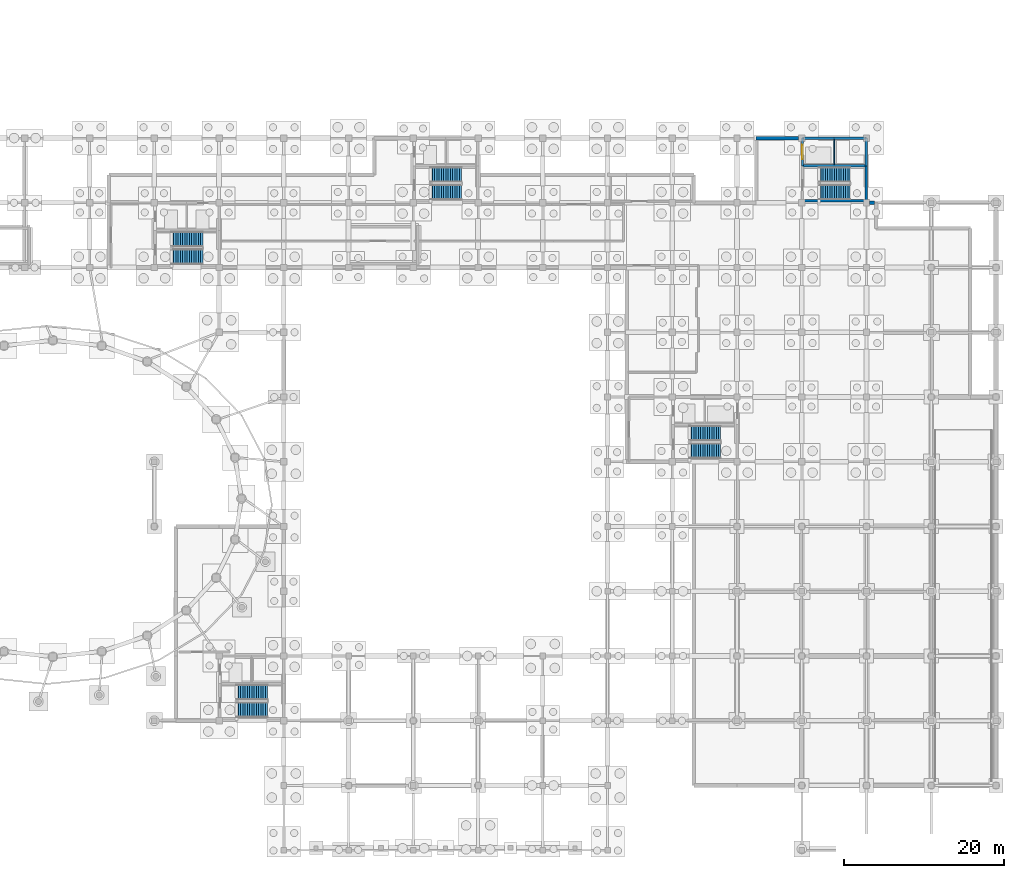
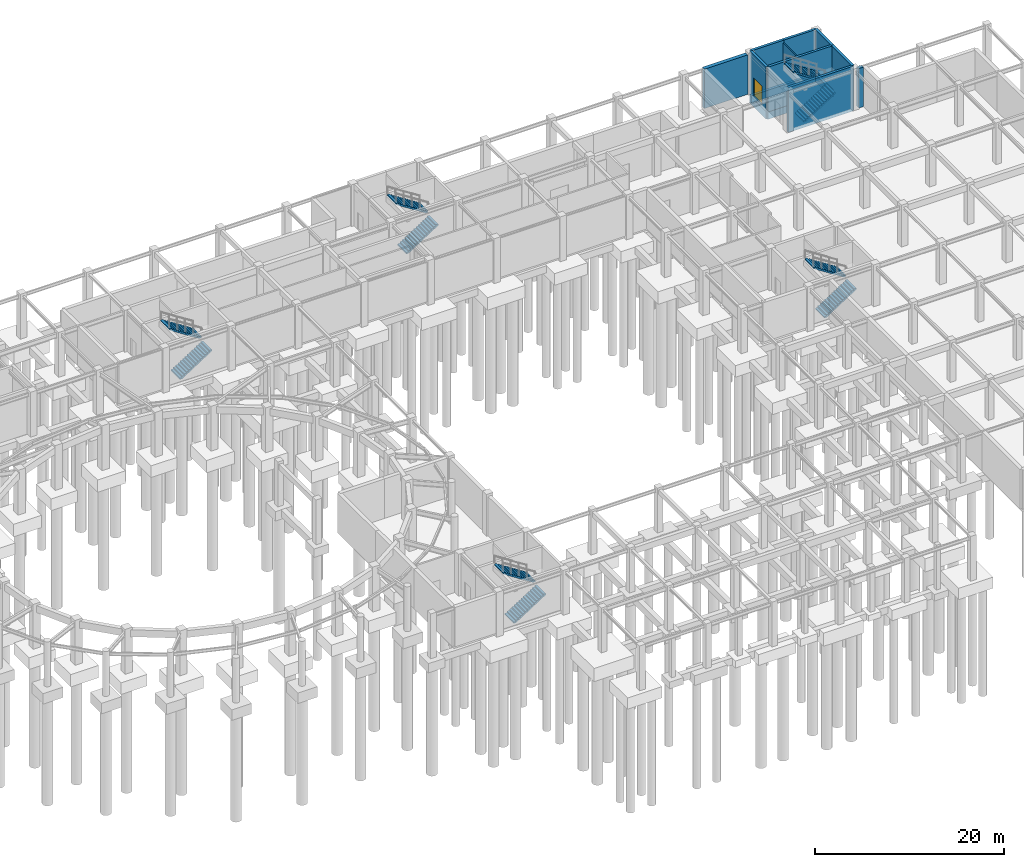
# One storey, part 20 of 26: 14 walls, 10 stair flights, 1 door, 1 opening, 5 elements without a shape of their own.
"""IFC4 building model written with IfcOpenShell, lengths in metres."""

from ifc_helpers import new_model, si_unit, direction, frame, frame_2d, origin, place, context, subcontext, project, spatial, polyline, rectangle, outline, extrude, material, layer, layer_set, type_object, element, fill, aggregate, save


model = new_model("IFC4")

# Units and contexts
model_context = context("Model", 3, precision=1e-05, world=origin(), true_north=direction((0.0, 1.0)))
body_context = subcontext(model_context, "Body", "Model", "MODEL_VIEW")
ifc_project = project(units=[si_unit("LENGTHUNIT", "METRE"), si_unit("AREAUNIT", "SQUARE_METRE"), si_unit("VOLUMEUNIT", "CUBIC_METRE"), si_unit("PLANEANGLEUNIT", "RADIAN"), si_unit("MASSUNIT", "GRAM", prefix="KILO")], contexts=[model_context])

# Site, building, storey
site_placement = place(None, origin())
site = spatial("IfcSite", under=ifc_project, at=site_placement, CompositionType="ELEMENT")
building_placement = place(site_placement, origin())
building = spatial("IfcBuilding", under=site, at=building_placement, Name="Parian Resonance Hall", CompositionType="ELEMENT")
storey_placement = place(building_placement, frame((0.0, 0.0, -5.39990234375)))
storey = spatial("IfcBuildingStorey", under=building, at=storey_placement, Name="B1", CompositionType="ELEMENT", Elevation=-5.39990234375)

# Walls
ifc_material_1 = material(Name="Concrete C40/50", Category="concrete")
ifc_layer_1 = layer(ifc_material_1, 0.31005859375)
ifc_layer_set_1 = layer_set([ifc_layer_1], Name="Concrete C40/50")
wall_type_1 = type_object("IfcWallType", Name="CW310", PredefinedType="SHEAR", material=ifc_layer_set_1)
wall_1_placement = place(storey_placement, frame((137.7900390625, 85.610107421875, -1.35009765625), z_axis=(0.0, 0.0, 1.0), x_axis=(1.0, 0.0, 0.0)))
element("IfcWall", 1, at=wall_1_placement, inside=storey, type_object=wall_type_1, Name="Lift pit wall K6-1", PredefinedType="SHEAR", context=body_context, shape_type="SweptSolid", body=[
    extrude(rectangle(XDim=7.97998046875, YDim=0.31005859375, at=frame_2d((3.989990234375, 0.0))), origin(), (0.0, 0.0, 1.0), 0.949951171875),
])
wall_2_placement = place(storey_placement, frame((145.77001953125, 85.610107421875, -1.35009765625), z_axis=(0.0, 0.0, 1.0), x_axis=(0.0, 1.0, 0.0)))
element("IfcWall", 2, at=wall_2_placement, inside=storey, type_object=wall_type_1, Name="Lift pit wall K6-2", PredefinedType="SHEAR", context=body_context, shape_type="SweptSolid", body=[
    extrude(rectangle(XDim=3.489990234375, YDim=0.31005859375, at=frame_2d((1.7451171875, 0.0))), origin(), (0.0, 0.0, 1.0), 0.949951171875),
])
wall_3_placement = place(storey_placement, frame((145.77001953125, 89.10009765625, -1.35009765625), z_axis=(0.0, 0.0, 1.0), x_axis=(-1.0, 0.0, 0.0)))
element("IfcWall", 3, at=wall_3_placement, inside=storey, type_object=wall_type_1, Name="Lift pit wall K6-3", PredefinedType="SHEAR", context=body_context, shape_type="SweptSolid", body=[
    extrude(rectangle(XDim=7.97998046875, YDim=0.31005859375, at=frame_2d((3.989990234375, 0.0))), origin(), (0.0, 0.0, 1.0), 0.949951171875),
])
wall_4_placement = place(storey_placement, frame((137.7900390625, 89.10009765625, -1.35009765625), z_axis=(0.0, 0.0, 1.0), x_axis=(0.0, -1.0, 0.0)))
element("IfcWall", 4, at=wall_4_placement, inside=storey, type_object=wall_type_1, Name="Lift pit wall K6-4", PredefinedType="SHEAR", context=body_context, shape_type="SweptSolid", body=[
    extrude(rectangle(XDim=3.489990234375, YDim=0.31005859375, at=frame_2d((1.7451171875, 0.0))), origin(), (0.0, 0.0, 1.0), 0.949951171875),
])

# Wall, opening, door
wall_5_placement = place(storey_placement, frame((137.7900390625, 85.610107421875, -0.400146484375), z_axis=(0.0, 0.0, 1.0), x_axis=(0.0, 1.0, 0.0)))
wall_5 = element("IfcWall", 5, at=wall_5_placement, inside=storey, type_object=wall_type_1, Name="Core K6 lift shaft west shear wall B1", PredefinedType="SHEAR", context=body_context, shape_type="SweptSolid", body=[
    extrude(rectangle(XDim=3.489990234375, YDim=0.31005859375, at=frame_2d((1.7451171875, 0.0))), origin(), (0.0, 0.0, 1.0), 5.800048828125),
])
opening_placement = place(wall_5_placement, frame((0.844970703125, 0.0, 0.39990234375)))
opening = element("IfcOpeningElement", 6, at=opening_placement, cuts=wall_5, Name="Opening LD-02", PredefinedType="OPENING", context=body_context, shape_type="SweptSolid", body=[
    extrude(rectangle(XDim=1.800048828125, YDim=2.39990234375, at=frame_2d((0.89990234375, 1.199951171875))), frame((0.0, 0.1650390625, 0.0), z_axis=(0.0, -1.0, 0.0), x_axis=(1.0, 0.0, 0.0)), (0.0, 0.0, 1.0), 0.330078125),
])
ifc_material_2 = material(Name="Stainless steel and bronze elevator cab", Category="steel")
door_type = type_object("IfcDoorType", Name="DOOR-LIFT-1800x2400", OperationType="SLIDING_TO_LEFT", PredefinedType="DOOR", material=ifc_material_2)
door_placement = place(opening_placement, origin())
door = element("IfcDoor", 7, at=door_placement, inside=storey, type_object=door_type, Name="Lift LF-08 sliding landing door B1", OperationType="SLIDING_TO_LEFT", OverallHeight=2.39990234375, OverallWidth=1.800048828125, PredefinedType="DOOR", context=body_context, shape_type="SweptSolid", body=[
    extrude(rectangle(XDim=1.800048828125, YDim=2.39990234375, at=frame_2d((0.89990234375, 1.199951171875))), frame((0.0, 0.02490234375, 0.0), z_axis=(0.0, -1.0, 0.0), x_axis=(1.0, 0.0, 0.0)), (0.0, 0.0, 1.0), 0.050048828125),
])
fill(opening, door)

# Walls
wall_6_placement = place(storey_placement, frame((137.7900390625, 89.10009765625, -0.400146484375), z_axis=(0.0, 0.0, 1.0), x_axis=(1.0, 0.0, 0.0)))
element("IfcWall", 8, at=wall_6_placement, inside=storey, type_object=wall_type_1, Name="Core K6 north-west shaft wall B1", PredefinedType="SHEAR", context=body_context, shape_type="SweptSolid", body=[
    extrude(rectangle(XDim=3.9599609375, YDim=0.31005859375, at=frame_2d((1.97998046875, 0.0))), origin(), (0.0, 0.0, 1.0), 5.800048828125),
])
wall_7_placement = place(storey_placement, frame((141.75, 89.10009765625, -0.400146484375), z_axis=(0.0, 0.0, 1.0), x_axis=(1.0, 0.0, 0.0)))
element("IfcWall", 9, at=wall_7_placement, inside=storey, type_object=wall_type_1, Name="Core K6 north-east shaft wall B1", PredefinedType="SHEAR", context=body_context, shape_type="SweptSolid", body=[
    extrude(rectangle(XDim=4.02001953125, YDim=0.31005859375, at=frame_2d((2.010009765625, 0.0))), origin(), (0.0, 0.0, 1.0), 5.800048828125),
])
wall_8_placement = place(storey_placement, frame((145.77001953125, 89.10009765625, -0.400146484375), z_axis=(0.0, 0.0, 1.0), x_axis=(0.0, -1.0, 0.0)))
element("IfcWall", 10, at=wall_8_placement, inside=storey, type_object=wall_type_1, Name="Core K6 east shaft wall B1", PredefinedType="SHEAR", context=body_context, shape_type="SweptSolid", body=[
    extrude(rectangle(XDim=3.489990234375, YDim=0.31005859375, at=frame_2d((1.7451171875, 0.0))), origin(), (0.0, 0.0, 1.0), 5.800048828125),
])
wall_9_placement = place(storey_placement, frame((145.77001953125, 85.610107421875, -0.400146484375), z_axis=(0.0, 0.0, 1.0), x_axis=(0.0, -1.0, 0.0)))
element("IfcWall", 11, at=wall_9_placement, inside=storey, type_object=wall_type_1, Name="Core K6 stairwell east wall B1", PredefinedType="SHEAR", context=body_context, shape_type="SweptSolid", body=[
    extrude(rectangle(XDim=4.360107421875, YDim=0.31005859375, at=frame_2d((2.18017578125, 0.0))), origin(), (0.0, 0.0, 1.0), 5.800048828125),
])
for number, where, z_axis, x_axis, name in (
    (12, (145.77001953125, 81.25, -0.400146484375), (0.0, 0.0, 1.0), (-1.0, 0.0, 0.0), "Core K6 stairwell south wall B1"),
    (13, (137.7900390625, 85.610107421875, -0.400146484375), (0.0, 0.0, 1.0), (1.0, 0.0, 0.0), "Core K6 stair-lift divider wall B1"),
):
    element("IfcWall", number, at=place(storey_placement, frame(where, z_axis=z_axis, x_axis=x_axis)), inside=storey, type_object=wall_type_1, Name=name, PredefinedType="SHEAR", context=body_context, shape_type="SweptSolid", body=[
        extrude(rectangle(XDim=7.97998046875, YDim=0.31005859375, at=frame_2d((3.989990234375, 0.0))), origin(), (0.0, 0.0, 1.0), 5.800048828125),
    ])
ifc_material_3 = material(Name="Concrete C35/45 waterproofed retaining wall", Category="concrete")
ifc_layer_2 = layer(ifc_material_3, 0.449951171875)
ifc_layer_set_2 = layer_set([ifc_layer_2], Name="Concrete C35/45 waterproofed retaining wall")
wall_type_2 = type_object("IfcWallType", Name="EW-RET-450", PredefinedType="USERDEFINED", material=ifc_layer_set_2)
wall_10_placement = place(storey_placement, frame((146.77490234375, 81.0, 0.0), z_axis=(0.0, 0.0, 1.0), x_axis=(-1.0, 0.0, 0.0)))
element("IfcWall", 14, at=wall_10_placement, inside=storey, type_object=wall_type_2, Name="Perimeter closure wall B1", ObjectType="RETAINING WALL", PredefinedType="USERDEFINED", context=body_context, shape_type="SweptSolid", body=[
    extrude(rectangle(XDim=0.574951171875, YDim=0.449951171875, at=frame_2d((0.28759765625, 0.0))), origin(), (0.0, 0.0, 1.0), 5.099853515625),
])
wall_11_placement = place(storey_placement, frame((137.300048828125, 89.10009765625, 0.0), z_axis=(0.0, 0.0, 1.0), x_axis=(-1.0, 0.0, 0.0)))
element("IfcWall", 15, at=wall_11_placement, inside=storey, type_object=wall_type_2, Name="Perimeter closure wall B1", ObjectType="RETAINING WALL", PredefinedType="USERDEFINED", context=body_context, shape_type="SweptSolid", body=[
    extrude(rectangle(XDim=5.300048828125, YDim=0.449951171875, at=frame_2d((2.64990234375, 0.0))), origin(), (0.0, 0.0, 1.0), 5.099853515625),
])
ifc_material_4 = material(Name="Concrete C35/45 acoustic plumbing chase wall", Category="concrete")
ifc_layer_3 = layer(ifc_material_4, 0.14990234375)
ifc_layer_set_3 = layer_set([ifc_layer_3], Name="Concrete C35/45 acoustic plumbing chase wall")
wall_type_3 = type_object("IfcWallType", Name="PW150", PredefinedType="PLUMBINGWALL", material=ifc_layer_set_3)
wall_12_placement = place(storey_placement, frame((141.75, 85.77001953125, 0.0), z_axis=(0.0, 0.0, 1.0), x_axis=(0.0, 1.0, 0.0)))
element("IfcWall", 16, at=wall_12_placement, inside=storey, type_object=wall_type_3, Name="Core K6 shaft plumbing/riser divider B1", PredefinedType="PLUMBINGWALL", context=body_context, shape_type="SweptSolid", body=[
    extrude(rectangle(XDim=3.169921875, YDim=0.14990234375, at=frame_2d((1.5849609375, 0.0))), origin(), (0.0, 0.0, 1.0), 5.0498046875),
])

# Stair, stair flights
ifc_material_5 = material(Name="Concrete C40/50", Category="concrete")
stair_type_1 = type_object("IfcStairType", Name="STAIR-CORE-1800", PredefinedType="HALF_TURN_STAIR", material=ifc_material_5)
stair_1_placement = place(storey_placement, origin())
stair_1 = element("IfcStair", 17, at=stair_1_placement, inside=storey, type_object=stair_type_1, Name="B1 ST-05", PredefinedType="HALF_TURN_STAIR")
ifc_material_6 = material(Name="Concrete C40/50", Category="concrete")
stair_flight_type_1 = type_object("IfcStairFlightType", Name="FLIGHT-1800", PredefinedType="STRAIGHT", material=ifc_material_6)
stair_flight_1_placement = place(storey_placement, frame((91.219970703125, 82.340087890625, 0.0), z_axis=(0.0, 0.0, 1.0), x_axis=(1.0, 0.0, 0.0)))
stair_flight_1 = element("IfcStairFlight", 18, at=stair_flight_1_placement, type_object=stair_flight_type_1, Name="ST-05 flight 1", NumberOfRisers=15, NumberOfTreads=14, PredefinedType="STRAIGHT", RiserHeight=0.18, TreadLength=0.28, context=body_context, shape_type="SweptSolid", body=[
    extrude(outline(polyline([(0.0, 0.0), (0.0, 0.179931640625), (0.280029296875, 0.179931640625), (0.280029296875, 0.360107421875), (0.56005859375, 0.360107421875), (0.56005859375, 0.5400390625), (0.840087890625, 0.5400390625), (0.840087890625, 0.719970703125), (1.1201171875, 0.719970703125), (1.1201171875, 0.89990234375), (1.39990234375, 0.89990234375), (1.39990234375, 1.080078125), (1.679931640625, 1.080078125), (1.679931640625, 1.260009765625), (1.9599609375, 1.260009765625), (1.9599609375, 1.43994140625), (2.239990234375, 1.43994140625), (2.239990234375, 1.6201171875), (2.52001953125, 1.6201171875), (2.52001953125, 1.800048828125), (2.800048828125, 1.800048828125), (2.800048828125, 1.97998046875), (3.080078125, 1.97998046875), (3.080078125, 2.159912109375), (3.360107421875, 2.159912109375), (3.360107421875, 2.340087890625), (3.639892578125, 2.340087890625), (3.639892578125, 2.52001953125), (3.919921875, 2.52001953125), (3.919921875, 2.699951171875), (3.919921875, 2.341796875), (0.277099609375, 0.0), (0.0, 0.0)])), frame((0.0, 0.93994140625, 0.0), z_axis=(0.0, -1.0, 0.0), x_axis=(1.0, 0.0, 0.0)), (0.0, 0.0, 1.0), 1.8798828125),
])
stair_flight_2_placement = place(storey_placement, frame((95.139892578125, 84.52001953125, 2.699951171875), z_axis=(0.0, 0.0, 1.0), x_axis=(-1.0, 0.0, 0.0)))
stair_flight_2 = element("IfcStairFlight", 19, at=stair_flight_2_placement, type_object=stair_flight_type_1, Name="ST-05 flight 2", NumberOfRisers=15, NumberOfTreads=14, PredefinedType="STRAIGHT", RiserHeight=0.18, TreadLength=0.28, context=body_context, shape_type="SweptSolid", body=[
    extrude(outline(polyline([(0.0, 0.0), (0.0, 0.179931640625), (0.280029296875, 0.179931640625), (0.280029296875, 0.360107421875), (0.56005859375, 0.360107421875), (0.56005859375, 0.5400390625), (0.840087890625, 0.5400390625), (0.840087890625, 0.719970703125), (1.1201171875, 0.719970703125), (1.1201171875, 0.89990234375), (1.39990234375, 0.89990234375), (1.39990234375, 1.080078125), (1.679931640625, 1.080078125), (1.679931640625, 1.260009765625), (1.9599609375, 1.260009765625), (1.9599609375, 1.43994140625), (2.239990234375, 1.43994140625), (2.239990234375, 1.6201171875), (2.52001953125, 1.6201171875), (2.52001953125, 1.800048828125), (2.800048828125, 1.800048828125), (2.800048828125, 1.97998046875), (3.080078125, 1.97998046875), (3.080078125, 2.159912109375), (3.360107421875, 2.159912109375), (3.360107421875, 2.340087890625), (3.639892578125, 2.340087890625), (3.639892578125, 2.52001953125), (3.919921875, 2.52001953125), (3.919921875, 2.699951171875), (3.919921875, 2.341796875), (0.277099609375, 0.0), (0.0, 0.0)])), frame((0.0, 0.93994140625, 0.0), z_axis=(0.0, -1.0, 0.0), x_axis=(1.0, 0.0, 0.0)), (0.0, 0.0, 1.0), 1.8798828125),
])
aggregate(stair_1, [stair_flight_1, stair_flight_2])

stair_2_placement = place(storey_placement, origin())
stair_2 = element("IfcStair", 20, at=stair_2_placement, inside=storey, type_object=stair_type_1, Name="B1 ST-06", PredefinedType="HALF_TURN_STAIR")
stair_flight_3_placement = place(storey_placement, frame((139.820068359375, 82.340087890625, 0.0), z_axis=(0.0, 0.0, 1.0), x_axis=(1.0, 0.0, 0.0)))
stair_flight_3 = element("IfcStairFlight", 21, at=stair_flight_3_placement, type_object=stair_flight_type_1, Name="ST-06 flight 1", NumberOfRisers=15, NumberOfTreads=14, PredefinedType="STRAIGHT", RiserHeight=0.18, TreadLength=0.28, context=body_context, shape_type="SweptSolid", body=[
    extrude(outline(polyline([(0.0, 0.0), (0.0, 0.179931640625), (0.280029296875, 0.179931640625), (0.280029296875, 0.360107421875), (0.56005859375, 0.360107421875), (0.56005859375, 0.5400390625), (0.840087890625, 0.5400390625), (0.840087890625, 0.719970703125), (1.1201171875, 0.719970703125), (1.1201171875, 0.89990234375), (1.39990234375, 0.89990234375), (1.39990234375, 1.080078125), (1.679931640625, 1.080078125), (1.679931640625, 1.260009765625), (1.9599609375, 1.260009765625), (1.9599609375, 1.43994140625), (2.239990234375, 1.43994140625), (2.239990234375, 1.6201171875), (2.52001953125, 1.6201171875), (2.52001953125, 1.800048828125), (2.800048828125, 1.800048828125), (2.800048828125, 1.97998046875), (3.080078125, 1.97998046875), (3.080078125, 2.159912109375), (3.360107421875, 2.159912109375), (3.360107421875, 2.340087890625), (3.639892578125, 2.340087890625), (3.639892578125, 2.52001953125), (3.919921875, 2.52001953125), (3.919921875, 2.699951171875), (3.919921875, 2.341796875), (0.277099609375, 0.0), (0.0, 0.0)])), frame((0.0, 0.93994140625, 0.0), z_axis=(0.0, -1.0, 0.0), x_axis=(1.0, 0.0, 0.0)), (0.0, 0.0, 1.0), 1.8798828125),
])
stair_flight_4_placement = place(storey_placement, frame((143.739990234375, 84.52001953125, 2.699951171875), z_axis=(0.0, 0.0, 1.0), x_axis=(-1.0, 0.0, 0.0)))
stair_flight_4 = element("IfcStairFlight", 22, at=stair_flight_4_placement, type_object=stair_flight_type_1, Name="ST-06 flight 2", NumberOfRisers=15, NumberOfTreads=14, PredefinedType="STRAIGHT", RiserHeight=0.18, TreadLength=0.28, context=body_context, shape_type="SweptSolid", body=[
    extrude(outline(polyline([(0.0, 0.0), (0.0, 0.179931640625), (0.280029296875, 0.179931640625), (0.280029296875, 0.360107421875), (0.56005859375, 0.360107421875), (0.56005859375, 0.5400390625), (0.840087890625, 0.5400390625), (0.840087890625, 0.719970703125), (1.1201171875, 0.719970703125), (1.1201171875, 0.89990234375), (1.39990234375, 0.89990234375), (1.39990234375, 1.080078125), (1.679931640625, 1.080078125), (1.679931640625, 1.260009765625), (1.9599609375, 1.260009765625), (1.9599609375, 1.43994140625), (2.239990234375, 1.43994140625), (2.239990234375, 1.6201171875), (2.52001953125, 1.6201171875), (2.52001953125, 1.800048828125), (2.800048828125, 1.800048828125), (2.800048828125, 1.97998046875), (3.080078125, 1.97998046875), (3.080078125, 2.159912109375), (3.360107421875, 2.159912109375), (3.360107421875, 2.340087890625), (3.639892578125, 2.340087890625), (3.639892578125, 2.52001953125), (3.919921875, 2.52001953125), (3.919921875, 2.699951171875), (3.919921875, 2.341796875), (0.277099609375, 0.0), (0.0, 0.0)])), frame((0.0, 0.93994140625, 0.0), z_axis=(0.0, -1.0, 0.0), x_axis=(1.0, 0.0, 0.0)), (0.0, 0.0, 1.0), 1.8798828125),
])
aggregate(stair_2, [stair_flight_3, stair_flight_4])

ifc_material_7 = material(Name="Concrete C40/50", Category="concrete")
stair_type_2 = type_object("IfcStairType", Name="STAIR-CORE-1850", PredefinedType="HALF_TURN_STAIR", material=ifc_material_7)
stair_3_placement = place(storey_placement, origin())
stair_3 = element("IfcStair", 23, at=stair_3_placement, inside=storey, type_object=stair_type_2, Name="B1 ST-01", PredefinedType="HALF_TURN_STAIR")
ifc_material_8 = material(Name="Concrete C40/50", Category="concrete")
stair_flight_type_2 = type_object("IfcStairFlightType", Name="FLIGHT-1850", PredefinedType="STRAIGHT", material=ifc_material_8)
stair_flight_5_placement = place(storey_placement, frame((58.840087890625, 74.25, 0.0), z_axis=(0.0, 0.0, 1.0), x_axis=(1.0, 0.0, 0.0)))
stair_flight_5 = element("IfcStairFlight", 24, at=stair_flight_5_placement, type_object=stair_flight_type_2, Name="ST-01 flight 1", NumberOfRisers=15, NumberOfTreads=14, PredefinedType="STRAIGHT", RiserHeight=0.18, TreadLength=0.28, context=body_context, shape_type="SweptSolid", body=[
    extrude(outline(polyline([(0.0, 0.0), (0.0, 0.179931640625), (0.280029296875, 0.179931640625), (0.280029296875, 0.360107421875), (0.56005859375, 0.360107421875), (0.56005859375, 0.5400390625), (0.840087890625, 0.5400390625), (0.840087890625, 0.719970703125), (1.1201171875, 0.719970703125), (1.1201171875, 0.89990234375), (1.39990234375, 0.89990234375), (1.39990234375, 1.080078125), (1.679931640625, 1.080078125), (1.679931640625, 1.260009765625), (1.9599609375, 1.260009765625), (1.9599609375, 1.43994140625), (2.239990234375, 1.43994140625), (2.239990234375, 1.6201171875), (2.52001953125, 1.6201171875), (2.52001953125, 1.800048828125), (2.800048828125, 1.800048828125), (2.800048828125, 1.97998046875), (3.080078125, 1.97998046875), (3.080078125, 2.159912109375), (3.360107421875, 2.159912109375), (3.360107421875, 2.340087890625), (3.639892578125, 2.340087890625), (3.639892578125, 2.52001953125), (3.919921875, 2.52001953125), (3.919921875, 2.699951171875), (3.919921875, 2.341796875), (0.277099609375, 0.0), (0.0, 0.0)])), frame((0.0, 0.949951171875, 0.0), z_axis=(0.0, -1.0, 0.0), x_axis=(1.0, 0.0, 0.0)), (0.0, 0.0, 1.0), 1.89990234375),
])
stair_flight_6_placement = place(storey_placement, frame((62.760009765625, 76.449951171875, 2.699951171875), z_axis=(0.0, 0.0, 1.0), x_axis=(-1.0, 0.0, 0.0)))
stair_flight_6 = element("IfcStairFlight", 25, at=stair_flight_6_placement, type_object=stair_flight_type_2, Name="ST-01 flight 2", NumberOfRisers=15, NumberOfTreads=14, PredefinedType="STRAIGHT", RiserHeight=0.18, TreadLength=0.28, context=body_context, shape_type="SweptSolid", body=[
    extrude(outline(polyline([(0.0, 0.0), (0.0, 0.179931640625), (0.280029296875, 0.179931640625), (0.280029296875, 0.360107421875), (0.56005859375, 0.360107421875), (0.56005859375, 0.5400390625), (0.840087890625, 0.5400390625), (0.840087890625, 0.719970703125), (1.1201171875, 0.719970703125), (1.1201171875, 0.89990234375), (1.39990234375, 0.89990234375), (1.39990234375, 1.080078125), (1.679931640625, 1.080078125), (1.679931640625, 1.260009765625), (1.9599609375, 1.260009765625), (1.9599609375, 1.43994140625), (2.239990234375, 1.43994140625), (2.239990234375, 1.6201171875), (2.52001953125, 1.6201171875), (2.52001953125, 1.800048828125), (2.800048828125, 1.800048828125), (2.800048828125, 1.97998046875), (3.080078125, 1.97998046875), (3.080078125, 2.159912109375), (3.360107421875, 2.159912109375), (3.360107421875, 2.340087890625), (3.639892578125, 2.340087890625), (3.639892578125, 2.52001953125), (3.919921875, 2.52001953125), (3.919921875, 2.699951171875), (3.919921875, 2.341796875), (0.277099609375, 0.0), (0.0, 0.0)])), frame((0.0, 0.949951171875, 0.0), z_axis=(0.0, -1.0, 0.0), x_axis=(1.0, 0.0, 0.0)), (0.0, 0.0, 1.0), 1.89990234375),
])
aggregate(stair_3, [stair_flight_5, stair_flight_6])

stair_4_placement = place(storey_placement, origin())
stair_4 = element("IfcStair", 26, at=stair_4_placement, inside=storey, type_object=stair_type_2, Name="B1 ST-02", PredefinedType="HALF_TURN_STAIR")
stair_flight_7_placement = place(storey_placement, frame((123.639892578125, 49.949951171875, 0.0), z_axis=(0.0, 0.0, 1.0), x_axis=(1.0, 0.0, 0.0)))
stair_flight_7 = element("IfcStairFlight", 27, at=stair_flight_7_placement, type_object=stair_flight_type_2, Name="ST-02 flight 1", NumberOfRisers=15, NumberOfTreads=14, PredefinedType="STRAIGHT", RiserHeight=0.18, TreadLength=0.28, context=body_context, shape_type="SweptSolid", body=[
    extrude(outline(polyline([(0.0, 0.0), (0.0, 0.179931640625), (0.280029296875, 0.179931640625), (0.280029296875, 0.360107421875), (0.56005859375, 0.360107421875), (0.56005859375, 0.5400390625), (0.840087890625, 0.5400390625), (0.840087890625, 0.719970703125), (1.1201171875, 0.719970703125), (1.1201171875, 0.89990234375), (1.39990234375, 0.89990234375), (1.39990234375, 1.080078125), (1.679931640625, 1.080078125), (1.679931640625, 1.260009765625), (1.9599609375, 1.260009765625), (1.9599609375, 1.43994140625), (2.239990234375, 1.43994140625), (2.239990234375, 1.6201171875), (2.52001953125, 1.6201171875), (2.52001953125, 1.800048828125), (2.800048828125, 1.800048828125), (2.800048828125, 1.97998046875), (3.080078125, 1.97998046875), (3.080078125, 2.159912109375), (3.360107421875, 2.159912109375), (3.360107421875, 2.340087890625), (3.639892578125, 2.340087890625), (3.639892578125, 2.52001953125), (3.919921875, 2.52001953125), (3.919921875, 2.699951171875), (3.919921875, 2.341796875), (0.277099609375, 0.0), (0.0, 0.0)])), frame((0.0, 0.949951171875, 0.0), z_axis=(0.0, -1.0, 0.0), x_axis=(1.0, 0.0, 0.0)), (0.0, 0.0, 1.0), 1.89990234375),
])
stair_flight_8_placement = place(storey_placement, frame((127.56005859375, 52.14990234375, 2.699951171875), z_axis=(0.0, 0.0, 1.0), x_axis=(-1.0, 0.0, 0.0)))
stair_flight_8 = element("IfcStairFlight", 28, at=stair_flight_8_placement, type_object=stair_flight_type_2, Name="ST-02 flight 2", NumberOfRisers=15, NumberOfTreads=14, PredefinedType="STRAIGHT", RiserHeight=0.18, TreadLength=0.28, context=body_context, shape_type="SweptSolid", body=[
    extrude(outline(polyline([(0.0, 0.0), (0.0, 0.179931640625), (0.280029296875, 0.179931640625), (0.280029296875, 0.360107421875), (0.56005859375, 0.360107421875), (0.56005859375, 0.5400390625), (0.840087890625, 0.5400390625), (0.840087890625, 0.719970703125), (1.1201171875, 0.719970703125), (1.1201171875, 0.89990234375), (1.39990234375, 0.89990234375), (1.39990234375, 1.080078125), (1.679931640625, 1.080078125), (1.679931640625, 1.260009765625), (1.9599609375, 1.260009765625), (1.9599609375, 1.43994140625), (2.239990234375, 1.43994140625), (2.239990234375, 1.6201171875), (2.52001953125, 1.6201171875), (2.52001953125, 1.800048828125), (2.800048828125, 1.800048828125), (2.800048828125, 1.97998046875), (3.080078125, 1.97998046875), (3.080078125, 2.159912109375), (3.360107421875, 2.159912109375), (3.360107421875, 2.340087890625), (3.639892578125, 2.340087890625), (3.639892578125, 2.52001953125), (3.919921875, 2.52001953125), (3.919921875, 2.699951171875), (3.919921875, 2.341796875), (0.277099609375, 0.0), (0.0, 0.0)])), frame((0.0, 0.949951171875, 0.0), z_axis=(0.0, -1.0, 0.0), x_axis=(1.0, 0.0, 0.0)), (0.0, 0.0, 1.0), 1.89990234375),
])
aggregate(stair_4, [stair_flight_7, stair_flight_8])

stair_5_placement = place(storey_placement, origin())
stair_5 = element("IfcStair", 29, at=stair_5_placement, inside=storey, type_object=stair_type_2, Name="B1 ST-03", PredefinedType="HALF_TURN_STAIR")
stair_flight_9_placement = place(storey_placement, frame((66.93994140625, 17.550048828125, 0.0), z_axis=(0.0, 0.0, 1.0), x_axis=(1.0, 0.0, 0.0)))
stair_flight_9 = element("IfcStairFlight", 30, at=stair_flight_9_placement, type_object=stair_flight_type_2, Name="ST-03 flight 1", NumberOfRisers=15, NumberOfTreads=14, PredefinedType="STRAIGHT", RiserHeight=0.18, TreadLength=0.28, context=body_context, shape_type="SweptSolid", body=[
    extrude(outline(polyline([(0.0, 0.0), (0.0, 0.179931640625), (0.280029296875, 0.179931640625), (0.280029296875, 0.360107421875), (0.56005859375, 0.360107421875), (0.56005859375, 0.5400390625), (0.840087890625, 0.5400390625), (0.840087890625, 0.719970703125), (1.1201171875, 0.719970703125), (1.1201171875, 0.89990234375), (1.39990234375, 0.89990234375), (1.39990234375, 1.080078125), (1.679931640625, 1.080078125), (1.679931640625, 1.260009765625), (1.9599609375, 1.260009765625), (1.9599609375, 1.43994140625), (2.239990234375, 1.43994140625), (2.239990234375, 1.6201171875), (2.52001953125, 1.6201171875), (2.52001953125, 1.800048828125), (2.800048828125, 1.800048828125), (2.800048828125, 1.97998046875), (3.080078125, 1.97998046875), (3.080078125, 2.159912109375), (3.360107421875, 2.159912109375), (3.360107421875, 2.340087890625), (3.639892578125, 2.340087890625), (3.639892578125, 2.52001953125), (3.919921875, 2.52001953125), (3.919921875, 2.699951171875), (3.919921875, 2.341796875), (0.277099609375, 0.0), (0.0, 0.0)])), frame((0.0, 0.949951171875, 0.0), z_axis=(0.0, -1.0, 0.0), x_axis=(1.0, 0.0, 0.0)), (0.0, 0.0, 1.0), 1.89990234375),
])
stair_flight_10_placement = place(storey_placement, frame((70.860107421875, 19.75, 2.699951171875), z_axis=(0.0, 0.0, 1.0), x_axis=(-1.0, 0.0, 0.0)))
stair_flight_10 = element("IfcStairFlight", 31, at=stair_flight_10_placement, type_object=stair_flight_type_2, Name="ST-03 flight 2", NumberOfRisers=15, NumberOfTreads=14, PredefinedType="STRAIGHT", RiserHeight=0.18, TreadLength=0.28, context=body_context, shape_type="SweptSolid", body=[
    extrude(outline(polyline([(0.0, 0.0), (0.0, 0.179931640625), (0.280029296875, 0.179931640625), (0.280029296875, 0.360107421875), (0.56005859375, 0.360107421875), (0.56005859375, 0.5400390625), (0.840087890625, 0.5400390625), (0.840087890625, 0.719970703125), (1.1201171875, 0.719970703125), (1.1201171875, 0.89990234375), (1.39990234375, 0.89990234375), (1.39990234375, 1.080078125), (1.679931640625, 1.080078125), (1.679931640625, 1.260009765625), (1.9599609375, 1.260009765625), (1.9599609375, 1.43994140625), (2.239990234375, 1.43994140625), (2.239990234375, 1.6201171875), (2.52001953125, 1.6201171875), (2.52001953125, 1.800048828125), (2.800048828125, 1.800048828125), (2.800048828125, 1.97998046875), (3.080078125, 1.97998046875), (3.080078125, 2.159912109375), (3.360107421875, 2.159912109375), (3.360107421875, 2.340087890625), (3.639892578125, 2.340087890625), (3.639892578125, 2.52001953125), (3.919921875, 2.52001953125), (3.919921875, 2.699951171875), (3.919921875, 2.341796875), (0.277099609375, 0.0), (0.0, 0.0)])), frame((0.0, 0.949951171875, 0.0), z_axis=(0.0, -1.0, 0.0), x_axis=(1.0, 0.0, 0.0)), (0.0, 0.0, 1.0), 1.89990234375),
])
aggregate(stair_5, [stair_flight_9, stair_flight_10])

save(model, "model.ifc")
